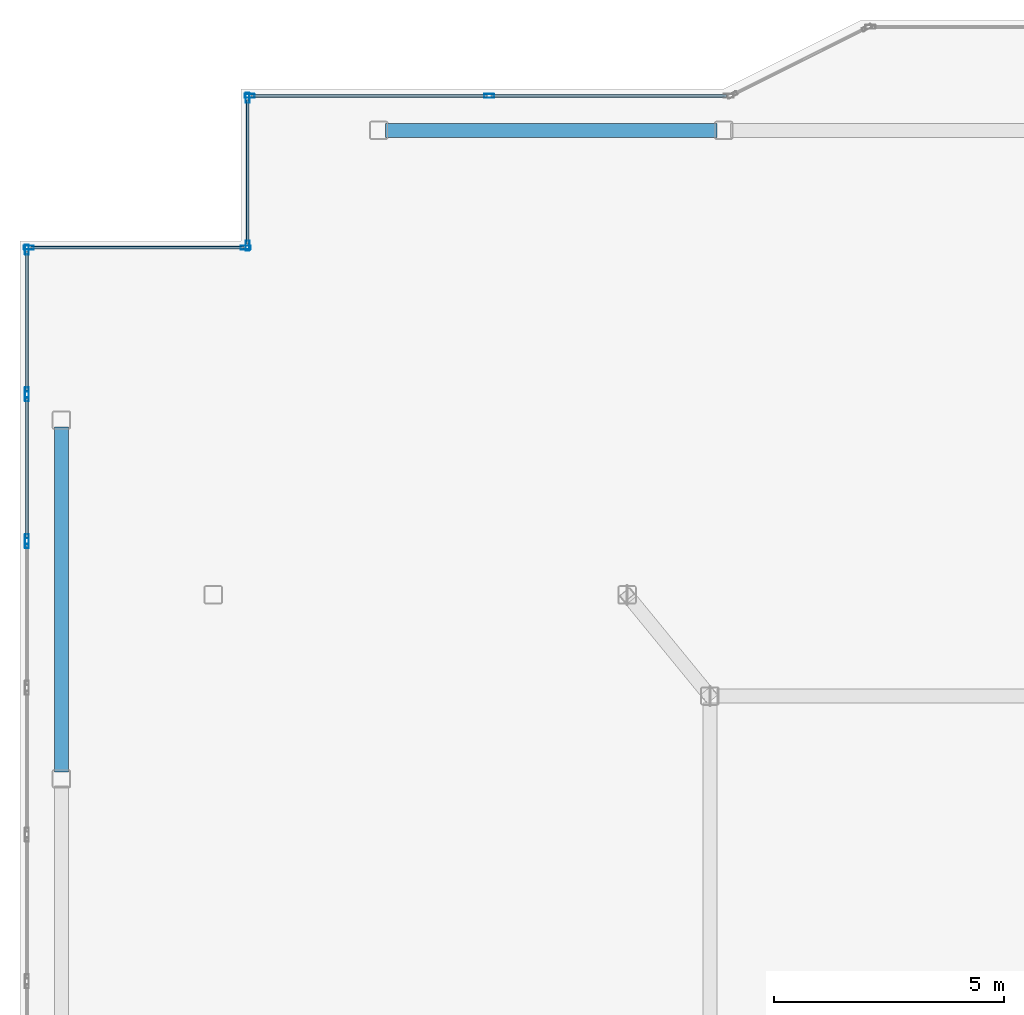
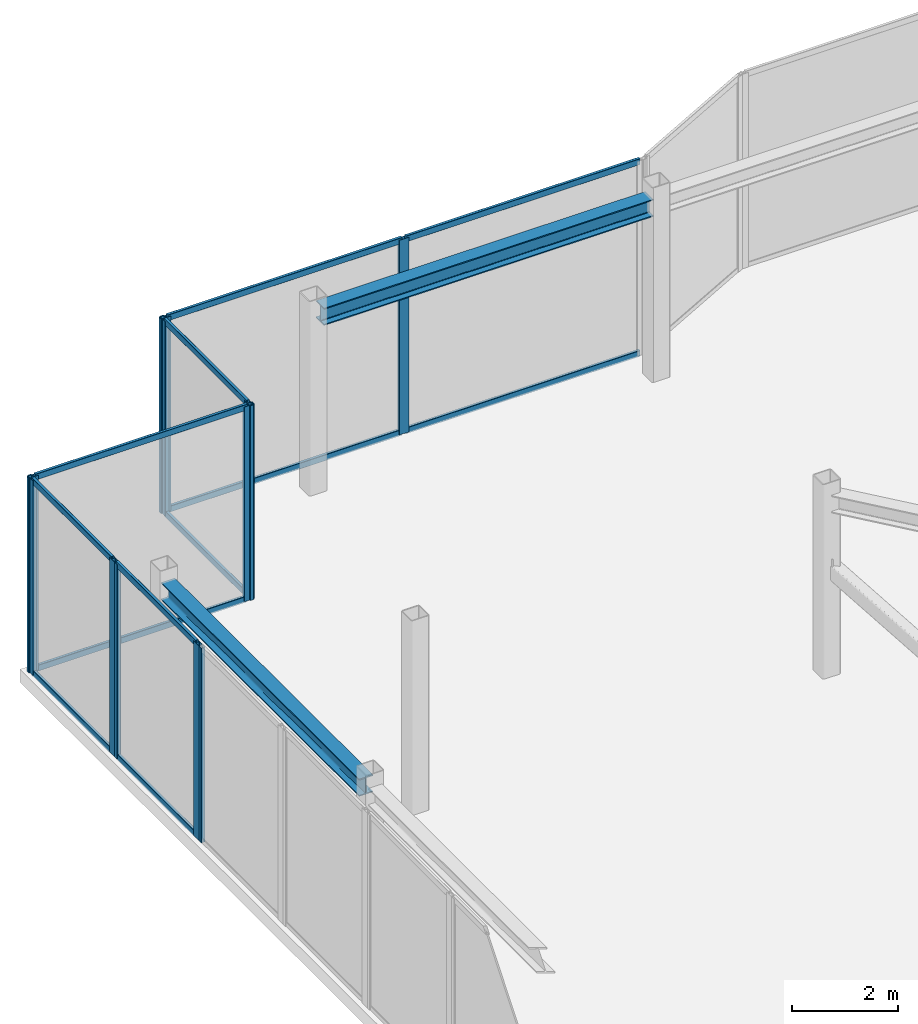
# One storey, part 10 of 16: 23 members, 2 beams, 6 elements without a shape of their own.
"""IFC4 building model written with IfcOpenShell, lengths in metres."""

from ifc_helpers import new_model, si_unit, direction, frame, origin, origin_2d, place, context, subcontext, project, spatial, hollow_rectangle, i_section, extrude, material, layer, layer_set, material_profile, profile_set, type_object, element, aggregate, save


model = new_model("IFC4")

# Units and contexts
model_context = context("Model", 3, precision=1e-05, world=origin(), true_north=direction((0.0, 1.0)))
body_context = subcontext(model_context, "Body", "Model", "MODEL_VIEW")
ifc_project = project(units=[si_unit("LENGTHUNIT", "METRE"), si_unit("AREAUNIT", "SQUARE_METRE"), si_unit("VOLUMEUNIT", "CUBIC_METRE"), si_unit("PLANEANGLEUNIT", "RADIAN"), si_unit("MASSUNIT", "GRAM", prefix="KILO")], contexts=[model_context])

# Site, building, storey
site_placement = place(None, origin())
site = spatial("IfcSite", under=ifc_project, at=site_placement, CompositionType="ELEMENT")
building_placement = place(site_placement, origin())
building = spatial("IfcBuilding", under=site, at=building_placement, Name="Tarnavaz Court Tower", CompositionType="ELEMENT")
storey_placement = place(building_placement, frame((0.0, 0.0, 290.550048828125)))
storey = spatial("IfcBuildingStorey", under=building, at=storey_placement, Name="C03", CompositionType="ELEMENT", Elevation=290.550048828125)

# Beams
ifc_material_1 = material(Name="Steel S355", Category="steel")
ifc_material_profile_1 = material_profile(ifc_material_1, i_section(OverallWidth=0.300048828125, OverallDepth=0.39990234375, WebThickness=0.013427734375, FlangeThickness=0.02392578125, FilletRadius=0.027099609375, at=origin_2d()), Name="HEB 400")
ifc_profile_set_1 = profile_set([ifc_material_profile_1], Name="Steel S355")
beam_type = type_object("IfcBeamType", Name="BM-G-HEB400", PredefinedType="USERDEFINED", material=ifc_profile_set_1)
beam_1_placement = place(storey_placement, frame((-14.85009765625, 20.10009765625, 4.0), z_axis=(1.0, 0.0, 0.0), x_axis=(0.0, 1.0, 0.0)))
element("IfcBeam", 1, at=beam_1_placement, inside=storey, type_object=beam_type, Name="C03 Beam CRG-PN-1-PN-2", ObjectType="GIRDER", PredefinedType="USERDEFINED", context=body_context, shape_type="SweptSolid", body=[
    extrude(i_section(OverallWidth=0.300048828125, OverallDepth=0.39990234375, WebThickness=0.013427734375, FlangeThickness=0.02392578125, FilletRadius=0.027099609375, at=origin_2d()), origin(), (0.0, 0.0, 1.0), 7.2001953125),
])
beam_2_placement = place(storey_placement, frame((-21.89990234375, 6.14990234375, 4.0), z_axis=(0.0, 1.0, 0.0), x_axis=(-1.0, 0.0, 0.0)))
element("IfcBeam", 2, at=beam_2_placement, inside=storey, type_object=beam_type, Name="C03 Beam CRG-PW-3-PW-4", ObjectType="GIRDER", PredefinedType="USERDEFINED", context=body_context, shape_type="SweptSolid", body=[
    extrude(i_section(OverallWidth=0.300048828125, OverallDepth=0.39990234375, WebThickness=0.013427734375, FlangeThickness=0.02392578125, FilletRadius=0.027099609375, at=origin_2d()), origin(), (0.0, 0.0, 1.0), 7.5),
])

# Curtain wall, member
ifc_material_2 = material(Name="Anodised Aluminium 6063-T6 and Solar Low-E Glazing", Category="aluminium")
ifc_layer = layer(ifc_material_2, 0.2099609375)
ifc_layer_set = layer_set([ifc_layer], Name="Anodised Aluminium 6063-T6 and Solar Low-E Glazing")
curtain_wall_type = type_object("IfcCurtainWallType", Name="CW-SYS-06", PredefinedType="NOTDEFINED", material=ifc_layer_set)
curtain_wall_1_placement = place(storey_placement, origin())
curtain_wall_1 = element("IfcCurtainWall", 3, at=curtain_wall_1_placement, inside=storey, type_object=curtain_wall_type, Name="C03 Slanted Crown Terracotta Curtain Wall 12", PredefinedType="NOTDEFINED")
ifc_material_3 = material(Name="Anodised Aluminium 6063-T6", Category="aluminium")
ifc_material_profile_2 = material_profile(ifc_material_3, hollow_rectangle(XDim=0.0849609375, YDim=0.219970703125, WallThickness=0.006103515625, InnerFilletRadius=0.006103515625, OuterFilletRadius=0.011962890625, at=origin_2d()), Name="ALU RHS 220X85X6")
ifc_profile_set_2 = profile_set([ifc_material_profile_2], Name="Anodised Aluminium 6063-T6")
member_type_1 = type_object("IfcMemberType", Name="CW-MUL-220", PredefinedType="MULLION", material=ifc_profile_set_2)
member_1_placement = place(storey_placement, frame((-22.64990234375, 11.125732421875, 0.0), z_axis=(0.0, 0.0, 1.0), x_axis=(-1.0, 0.0, 0.0)))
member_1 = element("IfcMember", 4, at=member_1_placement, type_object=member_type_1, Name="CW mullion 2", PredefinedType="MULLION", context=body_context, shape_type="SweptSolid", body=[
    extrude(hollow_rectangle(XDim=0.0849609375, YDim=0.219970703125, WallThickness=0.006103515625, InnerFilletRadius=0.006103515625, OuterFilletRadius=0.011962890625, at=origin_2d()), origin(), (0.0, 0.0, 1.0), 4.5),
])
aggregate(curtain_wall_1, [member_1])

# Curtain wall, members
curtain_wall_2_placement = place(storey_placement, origin())
curtain_wall_2 = element("IfcCurtainWall", 5, at=curtain_wall_2_placement, inside=storey, type_object=curtain_wall_type, Name="C03 Slanted Crown Terracotta Curtain Wall 13", PredefinedType="NOTDEFINED")
member_2_placement = place(storey_placement, frame((-22.64990234375, 11.210693359375, 0.0), z_axis=(0.0, 0.0, 1.0), x_axis=(-1.0, 0.0, 0.0)))
member_2 = element("IfcMember", 6, at=member_2_placement, type_object=member_type_1, Name="CW mullion 1", PredefinedType="MULLION", context=body_context, shape_type="SweptSolid", body=[
    extrude(hollow_rectangle(XDim=0.0849609375, YDim=0.219970703125, WallThickness=0.006103515625, InnerFilletRadius=0.006103515625, OuterFilletRadius=0.011962890625, at=origin_2d()), origin(), (0.0, 0.0, 1.0), 4.5),
])
member_3_placement = place(storey_placement, frame((-22.64990234375, 14.316650390625, 0.0), z_axis=(0.0, 0.0, 1.0), x_axis=(-1.0, 0.0, 0.0)))
member_3 = element("IfcMember", 7, at=member_3_placement, type_object=member_type_1, Name="CW mullion 2", PredefinedType="MULLION", context=body_context, shape_type="SweptSolid", body=[
    extrude(hollow_rectangle(XDim=0.0849609375, YDim=0.219970703125, WallThickness=0.006103515625, InnerFilletRadius=0.006103515625, OuterFilletRadius=0.011962890625, at=origin_2d()), origin(), (0.0, 0.0, 1.0), 4.5),
])

curtain_wall_3_placement = place(storey_placement, origin())
curtain_wall_3 = element("IfcCurtainWall", 8, at=curtain_wall_3_placement, inside=storey, type_object=curtain_wall_type, Name="C03 Slanted Crown Terracotta Curtain Wall 14", PredefinedType="NOTDEFINED")
member_4_placement = place(storey_placement, frame((-22.64990234375, 14.401611328125, 0.0), z_axis=(0.0, 0.0, 1.0), x_axis=(-1.0, 0.0, 0.0)))
member_4 = element("IfcMember", 9, at=member_4_placement, type_object=member_type_1, Name="CW mullion 1", PredefinedType="MULLION", context=body_context, shape_type="SweptSolid", body=[
    extrude(hollow_rectangle(XDim=0.0849609375, YDim=0.219970703125, WallThickness=0.006103515625, InnerFilletRadius=0.006103515625, OuterFilletRadius=0.011962890625, at=origin_2d()), origin(), (0.0, 0.0, 1.0), 4.5),
])
member_5_placement = place(storey_placement, frame((-22.64990234375, 17.507568359375, 0.0), z_axis=(0.0, 0.0, 1.0), x_axis=(-1.0, 0.0, 0.0)))
member_5 = element("IfcMember", 10, at=member_5_placement, type_object=member_type_1, Name="CW mullion 2", PredefinedType="MULLION", context=body_context, shape_type="SweptSolid", body=[
    extrude(hollow_rectangle(XDim=0.0849609375, YDim=0.219970703125, WallThickness=0.006103515625, InnerFilletRadius=0.006103515625, OuterFilletRadius=0.011962890625, at=origin_2d()), origin(), (0.0, 0.0, 1.0), 4.5),
])

curtain_wall_4_placement = place(storey_placement, origin())
curtain_wall_4 = element("IfcCurtainWall", 11, at=curtain_wall_4_placement, inside=storey, type_object=curtain_wall_type, Name="C03 Slanted Crown Terracotta Curtain Wall 15", PredefinedType="NOTDEFINED")
member_6_placement = place(storey_placement, frame((-22.607421875, 17.550048828125, 0.0), z_axis=(0.0, 0.0, 1.0), x_axis=(0.0, 1.0, 0.0)))
member_6 = element("IfcMember", 12, at=member_6_placement, type_object=member_type_1, Name="CW mullion 1", PredefinedType="MULLION", context=body_context, shape_type="SweptSolid", body=[
    extrude(hollow_rectangle(XDim=0.0849609375, YDim=0.219970703125, WallThickness=0.006103515625, InnerFilletRadius=0.006103515625, OuterFilletRadius=0.011962890625, at=origin_2d()), origin(), (0.0, 0.0, 1.0), 4.5),
])
member_7_placement = place(storey_placement, frame((-17.892578125, 17.550048828125, 0.0), z_axis=(0.0, 0.0, 1.0), x_axis=(0.0, 1.0, 0.0)))
member_7 = element("IfcMember", 13, at=member_7_placement, type_object=member_type_1, Name="CW mullion 2", PredefinedType="MULLION", context=body_context, shape_type="SweptSolid", body=[
    extrude(hollow_rectangle(XDim=0.0849609375, YDim=0.219970703125, WallThickness=0.006103515625, InnerFilletRadius=0.006103515625, OuterFilletRadius=0.011962890625, at=origin_2d()), origin(), (0.0, 0.0, 1.0), 4.5),
])

curtain_wall_5_placement = place(storey_placement, origin())
curtain_wall_5 = element("IfcCurtainWall", 14, at=curtain_wall_5_placement, inside=storey, type_object=curtain_wall_type, Name="C03 Slanted Crown Terracotta Curtain Wall 16", PredefinedType="NOTDEFINED")
member_8_placement = place(storey_placement, frame((-17.85009765625, 17.592529296875, 0.0), z_axis=(0.0, 0.0, 1.0), x_axis=(-1.0, 0.0, 0.0)))
member_8 = element("IfcMember", 15, at=member_8_placement, type_object=member_type_1, Name="CW mullion 1", PredefinedType="MULLION", context=body_context, shape_type="SweptSolid", body=[
    extrude(hollow_rectangle(XDim=0.0849609375, YDim=0.219970703125, WallThickness=0.006103515625, InnerFilletRadius=0.006103515625, OuterFilletRadius=0.011962890625, at=origin_2d()), origin(), (0.0, 0.0, 1.0), 4.5),
])
member_9_placement = place(storey_placement, frame((-17.85009765625, 20.8076171875, 0.0), z_axis=(0.0, 0.0, 1.0), x_axis=(-1.0, 0.0, 0.0)))
member_9 = element("IfcMember", 16, at=member_9_placement, type_object=member_type_1, Name="CW mullion 2", PredefinedType="MULLION", context=body_context, shape_type="SweptSolid", body=[
    extrude(hollow_rectangle(XDim=0.0849609375, YDim=0.219970703125, WallThickness=0.006103515625, InnerFilletRadius=0.006103515625, OuterFilletRadius=0.011962890625, at=origin_2d()), origin(), (0.0, 0.0, 1.0), 4.5),
])

curtain_wall_6_placement = place(storey_placement, origin())
curtain_wall_6 = element("IfcCurtainWall", 17, at=curtain_wall_6_placement, inside=storey, type_object=curtain_wall_type, Name="C03 Slanted Crown Terracotta Curtain Wall 17", PredefinedType="NOTDEFINED")
member_10_placement = place(storey_placement, frame((-17.8076171875, 20.85009765625, 0.0), z_axis=(0.0, 0.0, 1.0), x_axis=(0.0, 1.0, 0.0)))
member_10 = element("IfcMember", 18, at=member_10_placement, type_object=member_type_1, Name="CW mullion 1", PredefinedType="MULLION", context=body_context, shape_type="SweptSolid", body=[
    extrude(hollow_rectangle(XDim=0.0849609375, YDim=0.219970703125, WallThickness=0.006103515625, InnerFilletRadius=0.006103515625, OuterFilletRadius=0.011962890625, at=origin_2d()), origin(), (0.0, 0.0, 1.0), 4.5),
])
member_11_placement = place(storey_placement, frame((-12.60009765625, 20.85009765625, 0.0), z_axis=(0.0, 0.0, 1.0), x_axis=(0.0, 1.0, 0.0)))
member_11 = element("IfcMember", 19, at=member_11_placement, type_object=member_type_1, Name="CW mullion 2", PredefinedType="MULLION", context=body_context, shape_type="SweptSolid", body=[
    extrude(hollow_rectangle(XDim=0.0849609375, YDim=0.219970703125, WallThickness=0.006103515625, InnerFilletRadius=0.006103515625, OuterFilletRadius=0.011962890625, at=origin_2d()), origin(), (0.0, 0.0, 1.0), 4.5),
])

# Member
ifc_material_profile_3 = material_profile(ifc_material_3, hollow_rectangle(XDim=0.06494140625, YDim=0.139892578125, WallThickness=0.00390625, InnerFilletRadius=0.00390625, OuterFilletRadius=0.008056640625, at=origin_2d()), Name="ALU RHS 140X65X4")
ifc_profile_set_3 = profile_set([ifc_material_profile_3], Name="Anodised Aluminium 6063-T6")
member_type_2 = type_object("IfcMemberType", Name="CW-TRN-140", PredefinedType="USERDEFINED", material=ifc_profile_set_3)
member_12_placement = place(storey_placement, frame((-22.64990234375, 11.253173828125, 0.032470703125), z_axis=(0.0, 1.0, 0.0), x_axis=(-1.0, 0.0, 0.0)))
member_12 = element("IfcMember", 20, at=member_12_placement, type_object=member_type_2, Name="CW transom 1.1", ObjectType="TRANSOM", PredefinedType="USERDEFINED", context=body_context, shape_type="SweptSolid", body=[
    extrude(hollow_rectangle(XDim=0.06494140625, YDim=0.139892578125, WallThickness=0.00390625, InnerFilletRadius=0.00390625, OuterFilletRadius=0.008056640625, at=origin_2d()), origin(), (0.0, 0.0, 1.0), 3.02099609375),
])

member_13_placement = place(storey_placement, frame((-22.64990234375, 11.253173828125, 4.467529296875), z_axis=(0.0, 1.0, 0.0), x_axis=(-1.0, 0.0, 0.0)))
member_13 = element("IfcMember", 21, at=member_13_placement, type_object=member_type_2, Name="CW transom 1.2", ObjectType="TRANSOM", PredefinedType="USERDEFINED", context=body_context, shape_type="SweptSolid", body=[
    extrude(hollow_rectangle(XDim=0.06494140625, YDim=0.139892578125, WallThickness=0.00390625, InnerFilletRadius=0.00390625, OuterFilletRadius=0.008056640625, at=origin_2d()), origin(), (0.0, 0.0, 1.0), 3.02099609375),
])

aggregate(curtain_wall_2, [member_2, member_3, member_12, member_13])

member_14_placement = place(storey_placement, frame((-22.64990234375, 14.444091796875, 0.032470703125), z_axis=(0.0, 1.0, 0.0), x_axis=(-1.0, 0.0, 0.0)))
member_14 = element("IfcMember", 22, at=member_14_placement, type_object=member_type_2, Name="CW transom 1.1", ObjectType="TRANSOM", PredefinedType="USERDEFINED", context=body_context, shape_type="SweptSolid", body=[
    extrude(hollow_rectangle(XDim=0.06494140625, YDim=0.139892578125, WallThickness=0.00390625, InnerFilletRadius=0.00390625, OuterFilletRadius=0.008056640625, at=origin_2d()), origin(), (0.0, 0.0, 1.0), 3.02099609375),
])

member_15_placement = place(storey_placement, frame((-22.64990234375, 14.444091796875, 4.467529296875), z_axis=(0.0, 1.0, 0.0), x_axis=(-1.0, 0.0, 0.0)))
member_15 = element("IfcMember", 23, at=member_15_placement, type_object=member_type_2, Name="CW transom 1.2", ObjectType="TRANSOM", PredefinedType="USERDEFINED", context=body_context, shape_type="SweptSolid", body=[
    extrude(hollow_rectangle(XDim=0.06494140625, YDim=0.139892578125, WallThickness=0.00390625, InnerFilletRadius=0.00390625, OuterFilletRadius=0.008056640625, at=origin_2d()), origin(), (0.0, 0.0, 1.0), 3.02099609375),
])

aggregate(curtain_wall_3, [member_4, member_5, member_14, member_15])

member_16_placement = place(storey_placement, frame((-22.56494140625, 17.550048828125, 0.032470703125), z_axis=(1.0, 0.0, 0.0), x_axis=(0.0, 1.0, 0.0)))
member_16 = element("IfcMember", 24, at=member_16_placement, type_object=member_type_2, Name="CW transom 1.1", ObjectType="TRANSOM", PredefinedType="USERDEFINED", context=body_context, shape_type="SweptSolid", body=[
    extrude(hollow_rectangle(XDim=0.06494140625, YDim=0.139892578125, WallThickness=0.00390625, InnerFilletRadius=0.00390625, OuterFilletRadius=0.008056640625, at=origin_2d()), origin(), (0.0, 0.0, 1.0), 4.6298828125),
])

member_17_placement = place(storey_placement, frame((-22.56494140625, 17.550048828125, 4.467529296875), z_axis=(1.0, 0.0, 0.0), x_axis=(0.0, 1.0, 0.0)))
member_17 = element("IfcMember", 25, at=member_17_placement, type_object=member_type_2, Name="CW transom 1.2", ObjectType="TRANSOM", PredefinedType="USERDEFINED", context=body_context, shape_type="SweptSolid", body=[
    extrude(hollow_rectangle(XDim=0.06494140625, YDim=0.139892578125, WallThickness=0.00390625, InnerFilletRadius=0.00390625, OuterFilletRadius=0.008056640625, at=origin_2d()), origin(), (0.0, 0.0, 1.0), 4.6298828125),
])

aggregate(curtain_wall_4, [member_6, member_7, member_16, member_17])

member_18_placement = place(storey_placement, frame((-17.85009765625, 17.635009765625, 0.032470703125), z_axis=(0.0, 1.0, 0.0), x_axis=(-1.0, 0.0, 0.0)))
member_18 = element("IfcMember", 26, at=member_18_placement, type_object=member_type_2, Name="CW transom 1.1", ObjectType="TRANSOM", PredefinedType="USERDEFINED", context=body_context, shape_type="SweptSolid", body=[
    extrude(hollow_rectangle(XDim=0.06494140625, YDim=0.139892578125, WallThickness=0.00390625, InnerFilletRadius=0.00390625, OuterFilletRadius=0.008056640625, at=origin_2d()), origin(), (0.0, 0.0, 1.0), 3.1298828125),
])

member_19_placement = place(storey_placement, frame((-17.85009765625, 17.635009765625, 4.467529296875), z_axis=(0.0, 1.0, 0.0), x_axis=(-1.0, 0.0, 0.0)))
member_19 = element("IfcMember", 27, at=member_19_placement, type_object=member_type_2, Name="CW transom 1.2", ObjectType="TRANSOM", PredefinedType="USERDEFINED", context=body_context, shape_type="SweptSolid", body=[
    extrude(hollow_rectangle(XDim=0.06494140625, YDim=0.139892578125, WallThickness=0.00390625, InnerFilletRadius=0.00390625, OuterFilletRadius=0.008056640625, at=origin_2d()), origin(), (0.0, 0.0, 1.0), 3.1298828125),
])

aggregate(curtain_wall_5, [member_8, member_9, member_18, member_19])

member_20_placement = place(storey_placement, frame((-17.764892578125, 20.85009765625, 0.032470703125), z_axis=(1.0, 0.0, 0.0), x_axis=(0.0, 1.0, 0.0)))
member_20 = element("IfcMember", 28, at=member_20_placement, type_object=member_type_2, Name="CW transom 1.1", ObjectType="TRANSOM", PredefinedType="USERDEFINED", context=body_context, shape_type="SweptSolid", body=[
    extrude(hollow_rectangle(XDim=0.06494140625, YDim=0.139892578125, WallThickness=0.00390625, InnerFilletRadius=0.00390625, OuterFilletRadius=0.008056640625, at=origin_2d()), origin(), (0.0, 0.0, 1.0), 5.122314453125),
])

member_21_placement = place(storey_placement, frame((-17.764892578125, 20.85009765625, 4.467529296875), z_axis=(1.0, 0.0, 0.0), x_axis=(0.0, 1.0, 0.0)))
member_21 = element("IfcMember", 29, at=member_21_placement, type_object=member_type_2, Name="CW transom 1.2", ObjectType="TRANSOM", PredefinedType="USERDEFINED", context=body_context, shape_type="SweptSolid", body=[
    extrude(hollow_rectangle(XDim=0.06494140625, YDim=0.139892578125, WallThickness=0.00390625, InnerFilletRadius=0.00390625, OuterFilletRadius=0.008056640625, at=origin_2d()), origin(), (0.0, 0.0, 1.0), 5.122314453125),
])

member_22_placement = place(storey_placement, frame((-12.5576171875, 20.85009765625, 0.032470703125), z_axis=(1.0, 0.0, 0.0), x_axis=(0.0, 1.0, 0.0)))
member_22 = element("IfcMember", 30, at=member_22_placement, type_object=member_type_2, Name="CW transom 2.1", ObjectType="TRANSOM", PredefinedType="USERDEFINED", context=body_context, shape_type="SweptSolid", body=[
    extrude(hollow_rectangle(XDim=0.06494140625, YDim=0.139892578125, WallThickness=0.00390625, InnerFilletRadius=0.00390625, OuterFilletRadius=0.008056640625, at=origin_2d()), origin(), (0.0, 0.0, 1.0), 5.12255859375),
])

member_23_placement = place(storey_placement, frame((-12.5576171875, 20.85009765625, 4.467529296875), z_axis=(1.0, 0.0, 0.0), x_axis=(0.0, 1.0, 0.0)))
member_23 = element("IfcMember", 31, at=member_23_placement, type_object=member_type_2, Name="CW transom 2.2", ObjectType="TRANSOM", PredefinedType="USERDEFINED", context=body_context, shape_type="SweptSolid", body=[
    extrude(hollow_rectangle(XDim=0.06494140625, YDim=0.139892578125, WallThickness=0.00390625, InnerFilletRadius=0.00390625, OuterFilletRadius=0.008056640625, at=origin_2d()), origin(), (0.0, 0.0, 1.0), 5.12255859375),
])

aggregate(curtain_wall_6, [member_10, member_11, member_20, member_21, member_22, member_23])

save(model, "model.ifc")
